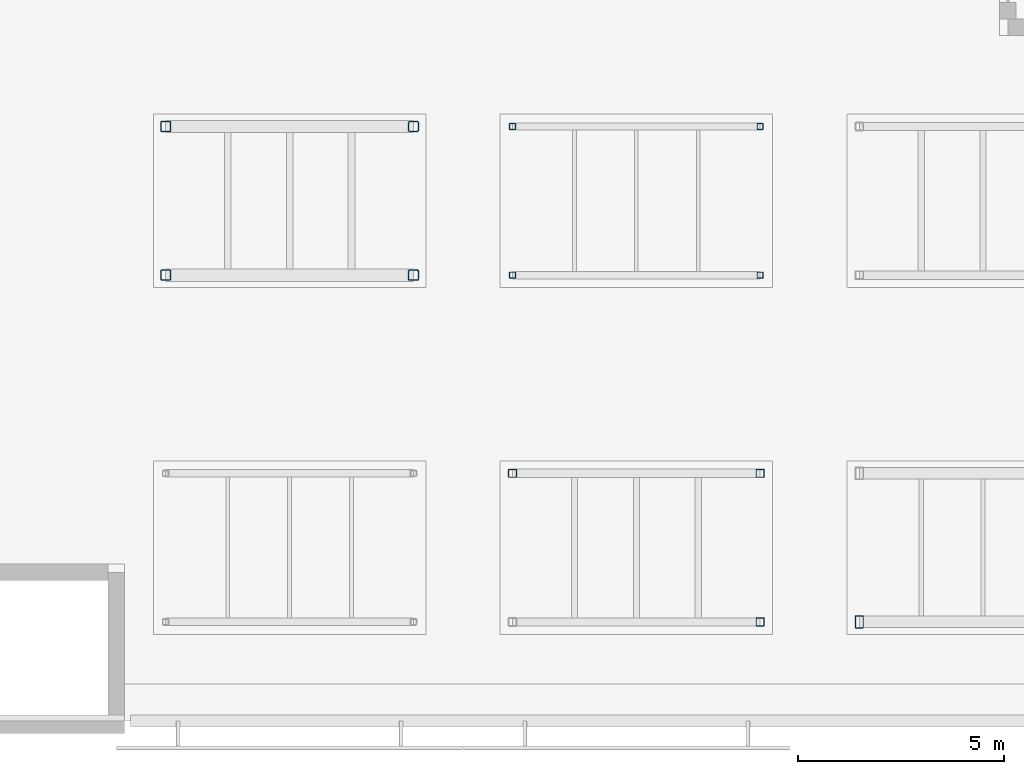
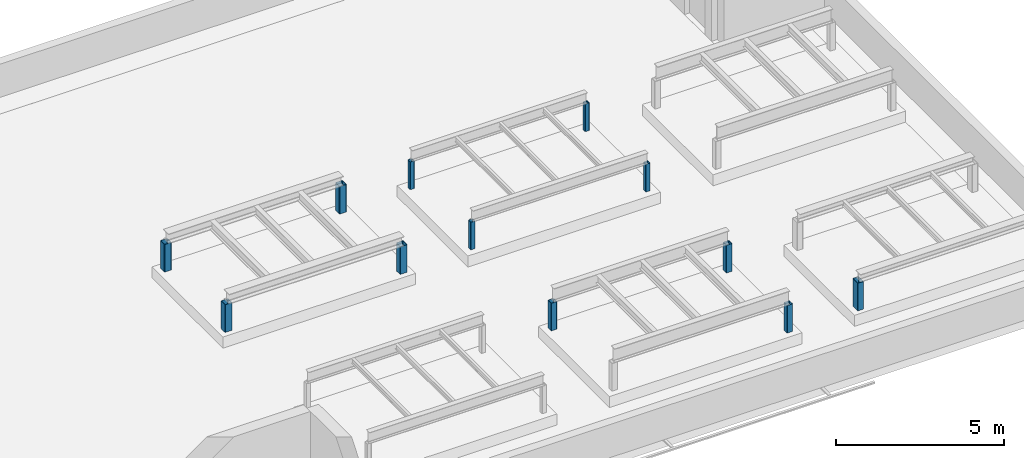
# One storey, part 6 of 18: 12 columns.
"""IFC4 building model written with IfcOpenShell, lengths in metres."""

from ifc_helpers import new_model, si_unit, direction, frame, origin, origin_2d, place, context, subcontext, project, spatial, hollow_rectangle, extrude, material, material_profile, profile_set, type_object, element, save


model = new_model("IFC4")

# Units and contexts
model_context = context("Model", 3, precision=1e-05, world=origin(), true_north=direction((0.0, 1.0)))
body_context = subcontext(model_context, "Body", "Model", "MODEL_VIEW")
ifc_project = project(units=[si_unit("LENGTHUNIT", "METRE"), si_unit("AREAUNIT", "SQUARE_METRE"), si_unit("VOLUMEUNIT", "CUBIC_METRE"), si_unit("PLANEANGLEUNIT", "RADIAN"), si_unit("MASSUNIT", "GRAM", prefix="KILO")], contexts=[model_context])

# Site, building, storey
site_placement = place(None, origin())
site = spatial("IfcSite", under=ifc_project, at=site_placement, CompositionType="ELEMENT")
building_placement = place(site_placement, origin())
building = spatial("IfcBuilding", under=site, at=building_placement, Name="Yavir Park General Hospital", CompositionType="ELEMENT")
storey_placement = place(building_placement, frame((0.0, 0.0, 29.699951171875)))
storey = spatial("IfcBuildingStorey", under=building, at=storey_placement, Name="RF", CompositionType="ELEMENT", Elevation=29.699951171875)

# Columns
ifc_material_1 = material(Name="Steel S355", Category="steel")
ifc_material_profile_1 = material_profile(ifc_material_1, hollow_rectangle(XDim=0.199951171875, YDim=0.300048828125, WallThickness=0.010009765625, InnerFilletRadius=0.014892578125, OuterFilletRadius=0.02001953125, at=origin_2d()), Name="RHS300x200x10")
ifc_profile_set_1 = profile_set([ifc_material_profile_1], Name="Steel S355")
column_type_1 = type_object("IfcColumnType", Name="RHS 300x200x10 platform column", PredefinedType="COLUMN", material=ifc_profile_set_1)
column_placement = place(storey_placement, frame((160.800048828125, 2.39990234375, 0.400146484375), z_axis=(0.0, 0.0, 1.0), x_axis=(1.0, 0.0, 0.0)))
element("IfcColumn", 1, at=column_placement, inside=storey, type_object=column_type_1, Name="C:PF:PP120A:0", PredefinedType="COLUMN", context=body_context, shape_type="SweptSolid", body=[
    extrude(hollow_rectangle(XDim=0.199951171875, YDim=0.300048828125, WallThickness=0.010009765625, InnerFilletRadius=0.014892578125, OuterFilletRadius=0.02001953125, at=origin_2d()), origin(), (0.0, 0.0, 1.0), 1.0),
])
ifc_material_2 = material(Name="Steel S355", Category="steel")
ifc_material_profile_2 = material_profile(ifc_material_2, hollow_rectangle(XDim=0.14990234375, YDim=0.14990234375, WallThickness=0.008056640625, InnerFilletRadius=0.011962890625, OuterFilletRadius=0.01611328125, at=origin_2d()), Name="SHS150x150x8")
ifc_profile_set_2 = profile_set([ifc_material_profile_2], Name="Steel S355")
column_type_2 = type_object("IfcColumnType", Name="SHS 150x150x8 platform column", PredefinedType="COLUMN", material=ifc_profile_set_2)
for number, where, z_axis, x_axis, name in (
    (2, (152.39990234375, 10.800048828125, 0.400146484375), (0.0, 0.0, 1.0), (1.0, 0.0, 0.0), "C:PF:PP119B:0"),
    (3, (158.39990234375, 10.800048828125, 0.400146484375), (0.0, 0.0, 1.0), (1.0, 0.0, 0.0), "C:PF:PP119B:1"),
    (4, (152.39990234375, 14.39990234375, 0.400146484375), (0.0, 0.0, 1.0), (1.0, 0.0, 0.0), "C:PF:PP119B:2"),
    (5, (158.39990234375, 14.39990234375, 0.400146484375), (0.0, 0.0, 1.0), (1.0, 0.0, 0.0), "C:PF:PP119B:3"),
):
    element("IfcColumn", number, at=place(storey_placement, frame(where, z_axis=z_axis, x_axis=x_axis)), inside=storey, type_object=column_type_2, Name=name, PredefinedType="COLUMN", context=body_context, shape_type="SweptSolid", body=[
        extrude(hollow_rectangle(XDim=0.14990234375, YDim=0.14990234375, WallThickness=0.008056640625, InnerFilletRadius=0.011962890625, OuterFilletRadius=0.01611328125, at=origin_2d()), origin(), (0.0, 0.0, 1.0), 1.0),
    ])
ifc_material_3 = material(Name="Steel S355", Category="steel")
ifc_material_profile_3 = material_profile(ifc_material_3, hollow_rectangle(XDim=0.199951171875, YDim=0.199951171875, WallThickness=0.010009765625, InnerFilletRadius=0.014892578125, OuterFilletRadius=0.02001953125, at=origin_2d()), Name="SHS200x200x10")
ifc_profile_set_3 = profile_set([ifc_material_profile_3], Name="Steel S355")
column_type_3 = type_object("IfcColumnType", Name="SHS 200x200x10 platform column", PredefinedType="COLUMN", material=ifc_profile_set_3)
for number, where, z_axis, x_axis, name in (
    (6, (158.39990234375, 2.39990234375, 0.400146484375), (0.0, 0.0, 1.0), (1.0, 0.0, 0.0), "C:PF:PP119A:1"),
    (7, (152.39990234375, 6.0, 0.400146484375), (0.0, 0.0, 1.0), (1.0, 0.0, 0.0), "C:PF:PP119A:2"),
    (8, (158.39990234375, 6.0, 0.400146484375), (0.0, 0.0, 1.0), (1.0, 0.0, 0.0), "C:PF:PP119A:3"),
):
    element("IfcColumn", number, at=place(storey_placement, frame(where, z_axis=z_axis, x_axis=x_axis)), inside=storey, type_object=column_type_3, Name=name, PredefinedType="COLUMN", context=body_context, shape_type="SweptSolid", body=[
        extrude(hollow_rectangle(XDim=0.199951171875, YDim=0.199951171875, WallThickness=0.010009765625, InnerFilletRadius=0.014892578125, OuterFilletRadius=0.02001953125, at=origin_2d()), origin(), (0.0, 0.0, 1.0), 1.0),
    ])
ifc_material_4 = material(Name="Steel S355", Category="steel")
ifc_material_profile_4 = material_profile(ifc_material_4, hollow_rectangle(XDim=0.25, YDim=0.25, WallThickness=0.012451171875, InnerFilletRadius=0.02490234375, OuterFilletRadius=0.03125, at=origin_2d()), Name="SHS250x250x12.5")
ifc_profile_set_4 = profile_set([ifc_material_profile_4], Name="Steel S355")
column_type_4 = type_object("IfcColumnType", Name="SHS 250x250x12.5 platform column", PredefinedType="COLUMN", material=ifc_profile_set_4)
for number, where, z_axis, x_axis, name in (
    (9, (144.0, 10.800048828125, 0.400146484375), (0.0, 0.0, 1.0), (1.0, 0.0, 0.0), "C:PF:PP118B:0"),
    (10, (150.0, 10.800048828125, 0.400146484375), (0.0, 0.0, 1.0), (1.0, 0.0, 0.0), "C:PF:PP118B:1"),
    (11, (144.0, 14.39990234375, 0.400146484375), (0.0, 0.0, 1.0), (1.0, 0.0, 0.0), "C:PF:PP118B:2"),
    (12, (150.0, 14.39990234375, 0.400146484375), (0.0, 0.0, 1.0), (1.0, 0.0, 0.0), "C:PF:PP118B:3"),
):
    element("IfcColumn", number, at=place(storey_placement, frame(where, z_axis=z_axis, x_axis=x_axis)), inside=storey, type_object=column_type_4, Name=name, PredefinedType="COLUMN", context=body_context, shape_type="SweptSolid", body=[
        extrude(hollow_rectangle(XDim=0.25, YDim=0.25, WallThickness=0.012451171875, InnerFilletRadius=0.02490234375, OuterFilletRadius=0.03125, at=origin_2d()), origin(), (0.0, 0.0, 1.0), 1.0),
    ])

save(model, "model.ifc")
